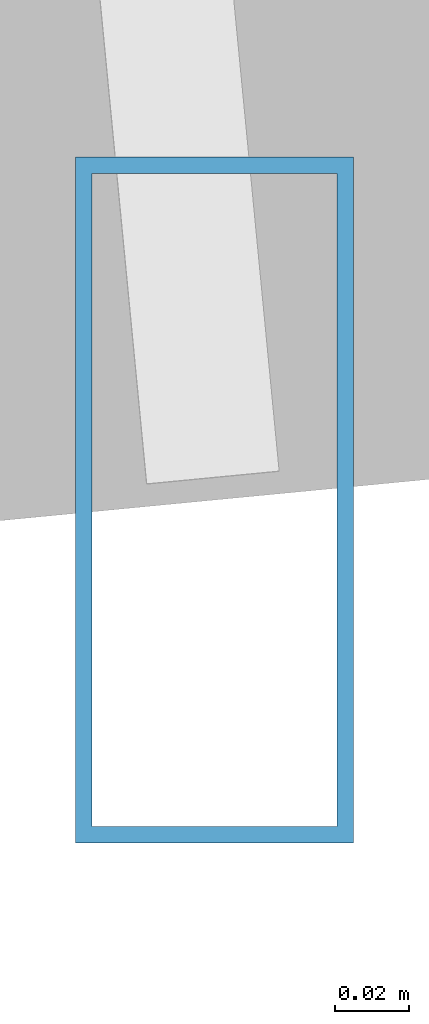
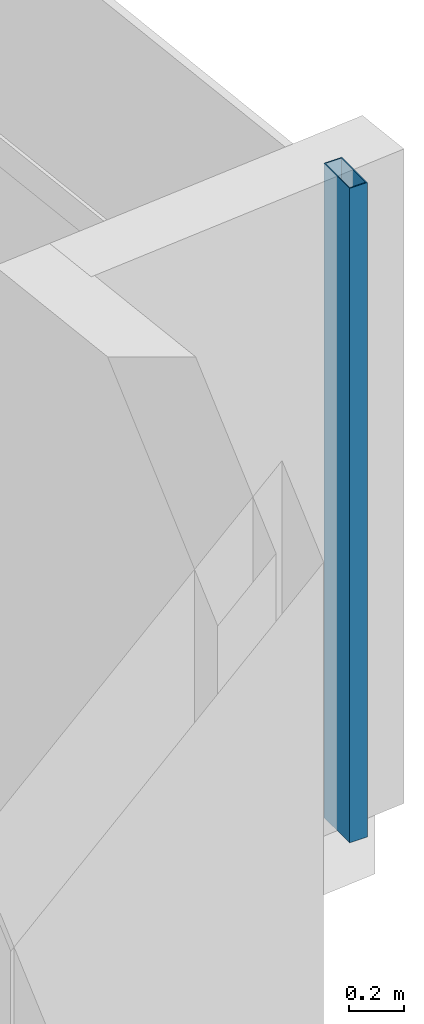
# One storey, part 14 of 27: 1 member, 1 element without a shape of its own.
"""IFC4 building model written with IfcOpenShell, lengths in metres."""

from ifc_helpers import new_model, si_unit, direction, frame, origin, origin_2d, place, context, subcontext, project, spatial, hollow_rectangle, extrude, source, transform, mapped, material, material_profile, profile_set, type_object, type_shapes, element, aggregate, save


model = new_model("IFC4")

# Units and contexts
model_context = context("Model", 3, precision=1e-05, world=origin(), true_north=direction((0.0, 1.0)))
body_context = subcontext(model_context, "Body", "Model", "MODEL_VIEW")
ifc_project = project(units=[si_unit("LENGTHUNIT", "METRE"), si_unit("AREAUNIT", "SQUARE_METRE"), si_unit("VOLUMEUNIT", "CUBIC_METRE"), si_unit("PLANEANGLEUNIT", "RADIAN"), si_unit("MASSUNIT", "GRAM", prefix="KILO")], contexts=[model_context])

# Site, building, storey
site_placement = place(None, origin())
site = spatial("IfcSite", under=ifc_project, at=site_placement, CompositionType="ELEMENT")
building_placement = place(site_placement, origin())
building = spatial("IfcBuilding", under=site, at=building_placement, Name="Astriad Promenade Condominiums", CompositionType="ELEMENT")
storey_placement = place(building_placement, frame((0.0, 0.0, 116.199951171875)))
storey = spatial("IfcBuildingStorey", under=building, at=storey_placement, Name="L33", CompositionType="ELEMENT", Elevation=116.199951171875)

# Curtain wall, member
ifc_material_1 = material(Name="Anodised aluminium Black Dark Glass Unitised", Category="aluminium")
curtain_wall_type = type_object("IfcCurtainWallType", Name="CW-B2-DARK", PredefinedType="USERDEFINED", material=ifc_material_1)
curtain_wall_placement = place(storey_placement, origin())
curtain_wall = element("IfcCurtainWall", 1, at=curtain_wall_placement, inside=storey, type_object=curtain_wall_type, Name="CW-L33-E", ObjectType="UNITISED_CURTAIN_WALL", PredefinedType="USERDEFINED")
ifc_material_2 = material(Name="Anodised aluminium 6063-T6 Black", Category="aluminium")
ifc_material_profile = material_profile(ifc_material_2, hollow_rectangle(XDim=0.074951171875, YDim=0.18505859375, WallThickness=0.00439453125, at=origin_2d()), Name="ALU-MUL-75X185")
ifc_profile_set = profile_set([ifc_material_profile], Name="Anodised aluminium 6063-T6 Black")
member_type = type_object("IfcMemberType", Name="MUL-ALU-MUL-75X185", PredefinedType="MULLION", material=ifc_profile_set)
shared_shape = source(origin(), body_context, "Body", "SweptSolid", [
    extrude(hollow_rectangle(XDim=0.074951171875, YDim=0.18505859375, WallThickness=0.00439453125, at=origin_2d()), origin(), (0.0, 0.0, 1.0), 2.900146484375),
])
type_shapes(member_type, [shared_shape])
member_placement = place(storey_placement, frame((69.4521484375, 11.67822265625, 0.0), z_axis=(0.0, 0.0, 1.0), x_axis=(1.0, 0.0, 0.0)))
member = element("IfcMember", 2, at=member_placement, type_object=member_type, Name="CW-L33-E-MUL-03", PredefinedType="MULLION", context=body_context, shape_type="MappedRepresentation", body=[
    mapped(shared_shape, transform((0.0, 0.0, 0.0), scale=1.0)),
])
aggregate(curtain_wall, [member])

save(model, "model.ifc")
